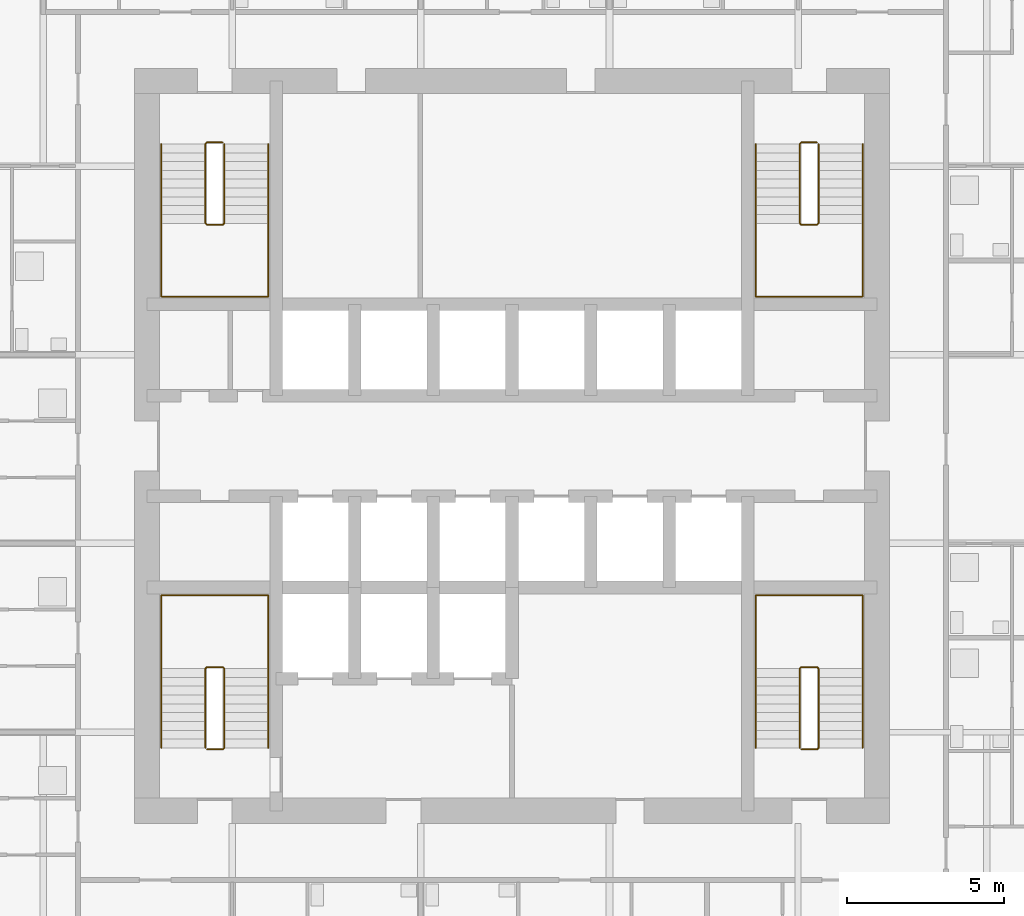
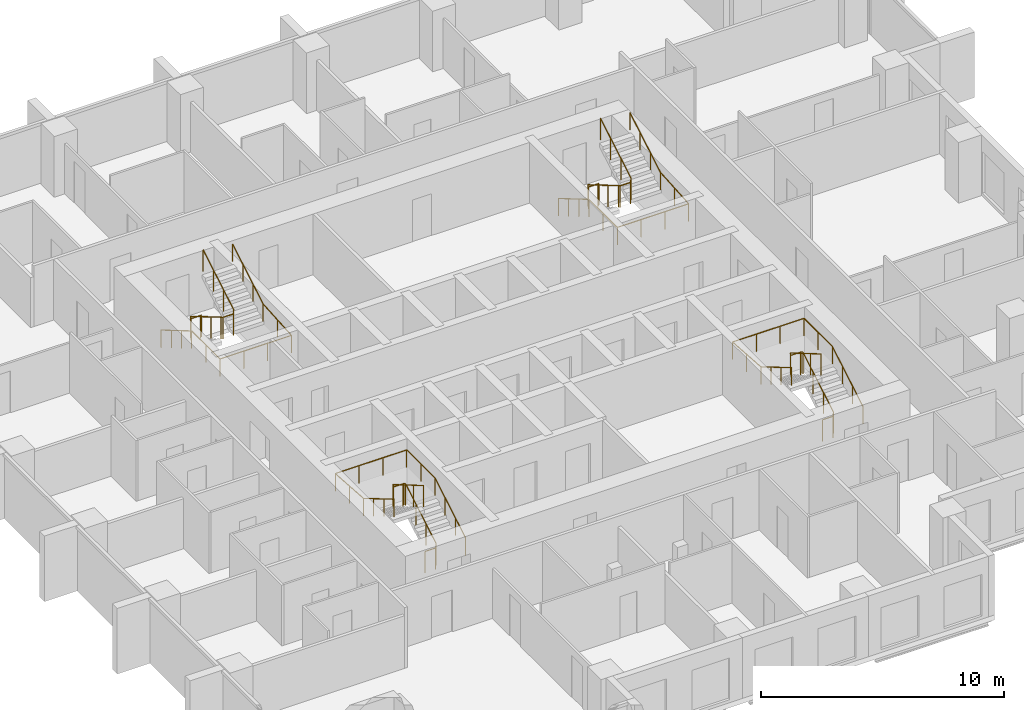
# One storey, part 9 of 10: 8 railings.
"""IFC4 building model written with IfcOpenShell, lengths in metres."""

from ifc_helpers import new_model, si_unit, direction, frame, origin, origin_2d, place, context, subcontext, project, spatial, circle, extrude, material, type_object, element, save


model = new_model("IFC4")

# Units and contexts
model_context = context("Model", 3, precision=1e-05, world=origin(), true_north=direction((0.0, 1.0)))
body_context = subcontext(model_context, "Body", "Model", "MODEL_VIEW")
ifc_project = project(units=[si_unit("LENGTHUNIT", "METRE"), si_unit("AREAUNIT", "SQUARE_METRE"), si_unit("VOLUMEUNIT", "CUBIC_METRE"), si_unit("PLANEANGLEUNIT", "RADIAN"), si_unit("MASSUNIT", "GRAM", prefix="KILO")], contexts=[model_context])

# Site, building, storey
site_placement = place(None, origin())
site = spatial("IfcSite", under=ifc_project, at=site_placement, CompositionType="ELEMENT")
building_placement = place(site_placement, origin())
building = spatial("IfcBuilding", under=site, at=building_placement, Name="Amberfall Residences", CompositionType="ELEMENT")
storey_placement = place(building_placement, frame((0.0, 0.0, 101.800048828125)))
storey = spatial("IfcBuildingStorey", under=building, at=storey_placement, Name="L27", CompositionType="ELEMENT", Elevation=101.800048828125)

# Railings
ifc_material = material(Name="Stainless steel 316", Category="steel")
railing_type_1 = type_object("IfcRailingType", Name="Stair guard 1100", PredefinedType="GUARDRAIL", material=ifc_material)
railing_1_placement = place(storey_placement, frame((64.800048828125, 35.85009765625, 0.0)))
element("IfcRailing", 1, at=railing_1_placement, inside=storey, type_object=railing_type_1, Name="L27 stair 1 guard", PredefinedType="GUARDRAIL", context=body_context, shape_type="SweptSolid", body=[
    extrude(circle(Radius=0.02392578125, at=origin_2d()), frame((0.0, 0.0, 1.076171875), z_axis=(1.0, 0.0, 0.0), x_axis=(0.0, 1.0, 0.0)), (0.0, 0.0, 1.0), 0.5),
    extrude(circle(Radius=0.02392578125, at=origin_2d()), frame((0.5, 0.0, 1.076171875), z_axis=(0.278810427259, 0.277450376394, 0.919394384522), x_axis=(-0.705375805398, 0.708833529934, 0.0)), (0.0, 0.0, 1.0), 0.179443359375),
    extrude(circle(Radius=0.02392578125, at=origin_2d()), frame((0.550048828125, 0.0498046875, 1.2412109375), z_axis=(0.0, 0.861560626758, 0.507654692109), x_axis=(-1.0, 0.0, 0.0)), (0.0, 0.0, 1.0), 2.925048828125),
    extrude(circle(Radius=0.02392578125, at=origin_2d()), frame((0.550048828125, 2.56982421875, 2.72607421875), z_axis=(-0.707106781187, 0.707106781187, 0.0), x_axis=(-0.707106781187, -0.707106781187, 0.0)), (0.0, 0.0, 1.0), 0.07080078125),
    extrude(circle(Radius=0.02392578125, at=origin_2d()), frame((0.5, 2.619873046875, 2.72607421875), z_axis=(-1.0, 0.0, 0.0), x_axis=(0.0, -1.0, 0.0)), (0.0, 0.0, 1.0), 0.5),
    extrude(circle(Radius=0.02392578125, at=origin_2d()), frame((0.0, 2.619873046875, 2.72607421875), z_axis=(-0.278705021027, -0.278705021027, 0.919046801044), x_axis=(0.707106781187, -0.707106781187, 0.0)), (0.0, 0.0, 1.0), 0.1796875),
    extrude(circle(Radius=0.02392578125, at=origin_2d()), frame((-0.050048828125, 2.56982421875, 2.89111328125), z_axis=(0.0, -0.86152411907, 0.507716645641), x_axis=(1.0, 0.0, 0.0)), (0.0, 0.0, 1.0), 2.925048828125),
    extrude(circle(Radius=0.02099609375, at=origin_2d()), origin(), (0.0, 0.0, 1.0), 1.052001953125),
    extrude(circle(Radius=0.02099609375, at=origin_2d()), frame((0.5, 0.0, 0.0)), (0.0, 0.0, 1.0), 1.052001953125),
    extrude(circle(Radius=0.02099609375, at=origin_2d()), frame((0.550048828125, 0.0498046875, 0.1650390625)), (0.0, 0.0, 1.0), 1.052001953125),
    extrude(circle(Radius=0.02099609375, at=origin_2d()), frame((0.550048828125, 0.889892578125, 0.659912109375)), (0.0, 0.0, 1.0), 1.052001953125),
    extrude(circle(Radius=0.02099609375, at=origin_2d()), frame((0.550048828125, 1.729736328125, 1.155029296875)), (0.0, 0.0, 1.0), 1.052001953125),
    extrude(circle(Radius=0.02099609375, at=origin_2d()), frame((0.550048828125, 2.56982421875, 1.64990234375)), (0.0, 0.0, 1.0), 1.052001953125),
    extrude(circle(Radius=0.02099609375, at=origin_2d()), frame((0.5, 2.619873046875, 1.64990234375)), (0.0, 0.0, 1.0), 1.052001953125),
    extrude(circle(Radius=0.02099609375, at=origin_2d()), frame((0.0, 2.619873046875, 1.64990234375)), (0.0, 0.0, 1.0), 1.052001953125),
    extrude(circle(Radius=0.02099609375, at=origin_2d()), frame((-0.050048828125, 2.56982421875, 1.81494140625)), (0.0, 0.0, 1.0), 1.052001953125),
    extrude(circle(Radius=0.02099609375, at=origin_2d()), frame((-0.050048828125, 1.729736328125, 2.31005859375)), (0.0, 0.0, 1.0), 1.052001953125),
    extrude(circle(Radius=0.02099609375, at=origin_2d()), frame((-0.050048828125, 0.889892578125, 2.804931640625)), (0.0, 0.0, 1.0), 1.052001953125),
    extrude(circle(Radius=0.02099609375, at=origin_2d()), frame((-0.050048828125, 0.0498046875, 3.300048828125)), (0.0, 0.0, 1.0), 1.052001953125),
])
railing_2_placement = place(storey_placement, frame((83.699951171875, 35.85009765625, 0.0)))
element("IfcRailing", 2, at=railing_2_placement, inside=storey, type_object=railing_type_1, Name="L27 stair 2 guard", PredefinedType="GUARDRAIL", context=body_context, shape_type="SweptSolid", body=[
    extrude(circle(Radius=0.02392578125, at=origin_2d()), frame((0.0, 0.0, 1.076171875), z_axis=(1.0, 0.0, 0.0), x_axis=(0.0, 1.0, 0.0)), (0.0, 0.0, 1.0), 0.5),
    extrude(circle(Radius=0.02392578125, at=origin_2d()), frame((0.5, 0.0, 1.076171875), z_axis=(0.278810427259, 0.277450376394, 0.919394384522), x_axis=(-0.705375805398, 0.708833529934, 0.0)), (0.0, 0.0, 1.0), 0.179443359375),
    extrude(circle(Radius=0.02392578125, at=origin_2d()), frame((0.550048828125, 0.0498046875, 1.2412109375), z_axis=(0.0, 0.861560626758, 0.507654692109), x_axis=(-1.0, 0.0, 0.0)), (0.0, 0.0, 1.0), 2.925048828125),
    extrude(circle(Radius=0.02392578125, at=origin_2d()), frame((0.550048828125, 2.56982421875, 2.72607421875), z_axis=(-0.707106781187, 0.707106781187, 0.0), x_axis=(-0.707106781187, -0.707106781187, 0.0)), (0.0, 0.0, 1.0), 0.07080078125),
    extrude(circle(Radius=0.02392578125, at=origin_2d()), frame((0.5, 2.619873046875, 2.72607421875), z_axis=(-1.0, 0.0, 0.0), x_axis=(0.0, -1.0, 0.0)), (0.0, 0.0, 1.0), 0.5),
    extrude(circle(Radius=0.02392578125, at=origin_2d()), frame((0.0, 2.619873046875, 2.72607421875), z_axis=(-0.278705021027, -0.278705021027, 0.919046801044), x_axis=(0.707106781187, -0.707106781187, 0.0)), (0.0, 0.0, 1.0), 0.1796875),
    extrude(circle(Radius=0.02392578125, at=origin_2d()), frame((-0.050048828125, 2.56982421875, 2.89111328125), z_axis=(0.0, -0.86152411907, 0.507716645641), x_axis=(1.0, 0.0, 0.0)), (0.0, 0.0, 1.0), 2.925048828125),
    extrude(circle(Radius=0.02099609375, at=origin_2d()), origin(), (0.0, 0.0, 1.0), 1.052001953125),
    extrude(circle(Radius=0.02099609375, at=origin_2d()), frame((0.5, 0.0, 0.0)), (0.0, 0.0, 1.0), 1.052001953125),
    extrude(circle(Radius=0.02099609375, at=origin_2d()), frame((0.550048828125, 0.0498046875, 0.1650390625)), (0.0, 0.0, 1.0), 1.052001953125),
    extrude(circle(Radius=0.02099609375, at=origin_2d()), frame((0.550048828125, 0.889892578125, 0.659912109375)), (0.0, 0.0, 1.0), 1.052001953125),
    extrude(circle(Radius=0.02099609375, at=origin_2d()), frame((0.550048828125, 1.729736328125, 1.155029296875)), (0.0, 0.0, 1.0), 1.052001953125),
    extrude(circle(Radius=0.02099609375, at=origin_2d()), frame((0.550048828125, 2.56982421875, 1.64990234375)), (0.0, 0.0, 1.0), 1.052001953125),
    extrude(circle(Radius=0.02099609375, at=origin_2d()), frame((0.5, 2.619873046875, 1.64990234375)), (0.0, 0.0, 1.0), 1.052001953125),
    extrude(circle(Radius=0.02099609375, at=origin_2d()), frame((0.0, 2.619873046875, 1.64990234375)), (0.0, 0.0, 1.0), 1.052001953125),
    extrude(circle(Radius=0.02099609375, at=origin_2d()), frame((-0.050048828125, 2.56982421875, 1.81494140625)), (0.0, 0.0, 1.0), 1.052001953125),
    extrude(circle(Radius=0.02099609375, at=origin_2d()), frame((-0.050048828125, 1.729736328125, 2.31005859375)), (0.0, 0.0, 1.0), 1.052001953125),
    extrude(circle(Radius=0.02099609375, at=origin_2d()), frame((-0.050048828125, 0.889892578125, 2.804931640625)), (0.0, 0.0, 1.0), 1.052001953125),
    extrude(circle(Radius=0.02099609375, at=origin_2d()), frame((-0.050048828125, 0.0498046875, 3.300048828125)), (0.0, 0.0, 1.0), 1.052001953125),
])
railing_3_placement = place(storey_placement, frame((84.199951171875, 55.14990234375, 0.0)))
element("IfcRailing", 3, at=railing_3_placement, inside=storey, type_object=railing_type_1, Name="L27 stair 3 guard", PredefinedType="GUARDRAIL", context=body_context, shape_type="SweptSolid", body=[
    extrude(circle(Radius=0.02392578125, at=origin_2d()), frame((0.0, 0.0, 1.076171875), z_axis=(-1.0, 0.0, 0.0), x_axis=(0.0, -1.0, 0.0)), (0.0, 0.0, 1.0), 0.5),
    extrude(circle(Radius=0.02392578125, at=origin_2d()), frame((-0.5, 0.0, 1.076171875), z_axis=(-0.278810427259, -0.277450376394, 0.919394384522), x_axis=(0.705375805398, -0.708833529934, 0.0)), (0.0, 0.0, 1.0), 0.179443359375),
    extrude(circle(Radius=0.02392578125, at=origin_2d()), frame((-0.550048828125, -0.0498046875, 1.2412109375), z_axis=(0.0, -0.861560626758, 0.507654692109), x_axis=(1.0, 0.0, 0.0)), (0.0, 0.0, 1.0), 2.925048828125),
    extrude(circle(Radius=0.02392578125, at=origin_2d()), frame((-0.550048828125, -2.56982421875, 2.72607421875), z_axis=(0.707106781187, -0.707106781187, 0.0), x_axis=(0.707106781187, 0.707106781187, 0.0)), (0.0, 0.0, 1.0), 0.07080078125),
    extrude(circle(Radius=0.02392578125, at=origin_2d()), frame((-0.5, -2.619873046875, 2.72607421875), z_axis=(1.0, 0.0, 0.0), x_axis=(0.0, 1.0, 0.0)), (0.0, 0.0, 1.0), 0.5),
    extrude(circle(Radius=0.02392578125, at=origin_2d()), frame((0.0, -2.619873046875, 2.72607421875), z_axis=(0.278705021027, 0.278705021027, 0.919046801044), x_axis=(-0.707106781187, 0.707106781187, 0.0)), (0.0, 0.0, 1.0), 0.1796875),
    extrude(circle(Radius=0.02392578125, at=origin_2d()), frame((0.050048828125, -2.56982421875, 2.89111328125), z_axis=(0.0, 0.86152411907, 0.507716645641), x_axis=(-1.0, 0.0, 0.0)), (0.0, 0.0, 1.0), 2.925048828125),
    extrude(circle(Radius=0.02099609375, at=origin_2d()), origin(), (0.0, 0.0, 1.0), 1.052001953125),
    extrude(circle(Radius=0.02099609375, at=origin_2d()), frame((-0.5, 0.0, 0.0)), (0.0, 0.0, 1.0), 1.052001953125),
    extrude(circle(Radius=0.02099609375, at=origin_2d()), frame((-0.550048828125, -0.0498046875, 0.1650390625)), (0.0, 0.0, 1.0), 1.052001953125),
    extrude(circle(Radius=0.02099609375, at=origin_2d()), frame((-0.550048828125, -0.889892578125, 0.659912109375)), (0.0, 0.0, 1.0), 1.052001953125),
    extrude(circle(Radius=0.02099609375, at=origin_2d()), frame((-0.550048828125, -1.729736328125, 1.155029296875)), (0.0, 0.0, 1.0), 1.052001953125),
    extrude(circle(Radius=0.02099609375, at=origin_2d()), frame((-0.550048828125, -2.56982421875, 1.64990234375)), (0.0, 0.0, 1.0), 1.052001953125),
    extrude(circle(Radius=0.02099609375, at=origin_2d()), frame((-0.5, -2.619873046875, 1.64990234375)), (0.0, 0.0, 1.0), 1.052001953125),
    extrude(circle(Radius=0.02099609375, at=origin_2d()), frame((0.0, -2.619873046875, 1.64990234375)), (0.0, 0.0, 1.0), 1.052001953125),
    extrude(circle(Radius=0.02099609375, at=origin_2d()), frame((0.050048828125, -2.56982421875, 1.81494140625)), (0.0, 0.0, 1.0), 1.052001953125),
    extrude(circle(Radius=0.02099609375, at=origin_2d()), frame((0.050048828125, -1.729736328125, 2.31005859375)), (0.0, 0.0, 1.0), 1.052001953125),
    extrude(circle(Radius=0.02099609375, at=origin_2d()), frame((0.050048828125, -0.889892578125, 2.804931640625)), (0.0, 0.0, 1.0), 1.052001953125),
    extrude(circle(Radius=0.02099609375, at=origin_2d()), frame((0.050048828125, -0.0498046875, 3.300048828125)), (0.0, 0.0, 1.0), 1.052001953125),
])
railing_4_placement = place(storey_placement, frame((65.300048828125, 55.14990234375, 0.0)))
element("IfcRailing", 4, at=railing_4_placement, inside=storey, type_object=railing_type_1, Name="L27 stair 4 guard", PredefinedType="GUARDRAIL", context=body_context, shape_type="SweptSolid", body=[
    extrude(circle(Radius=0.02392578125, at=origin_2d()), frame((0.0, 0.0, 1.076171875), z_axis=(-1.0, 0.0, 0.0), x_axis=(0.0, -1.0, 0.0)), (0.0, 0.0, 1.0), 0.5),
    extrude(circle(Radius=0.02392578125, at=origin_2d()), frame((-0.5, 0.0, 1.076171875), z_axis=(-0.278810427259, -0.277450376394, 0.919394384522), x_axis=(0.705375805398, -0.708833529934, 0.0)), (0.0, 0.0, 1.0), 0.179443359375),
    extrude(circle(Radius=0.02392578125, at=origin_2d()), frame((-0.550048828125, -0.0498046875, 1.2412109375), z_axis=(0.0, -0.861560626758, 0.507654692109), x_axis=(1.0, 0.0, 0.0)), (0.0, 0.0, 1.0), 2.925048828125),
    extrude(circle(Radius=0.02392578125, at=origin_2d()), frame((-0.550048828125, -2.56982421875, 2.72607421875), z_axis=(0.707106781187, -0.707106781187, 0.0), x_axis=(0.707106781187, 0.707106781187, 0.0)), (0.0, 0.0, 1.0), 0.07080078125),
    extrude(circle(Radius=0.02392578125, at=origin_2d()), frame((-0.5, -2.619873046875, 2.72607421875), z_axis=(1.0, 0.0, 0.0), x_axis=(0.0, 1.0, 0.0)), (0.0, 0.0, 1.0), 0.5),
    extrude(circle(Radius=0.02392578125, at=origin_2d()), frame((0.0, -2.619873046875, 2.72607421875), z_axis=(0.278705021027, 0.278705021027, 0.919046801044), x_axis=(-0.707106781187, 0.707106781187, 0.0)), (0.0, 0.0, 1.0), 0.1796875),
    extrude(circle(Radius=0.02392578125, at=origin_2d()), frame((0.050048828125, -2.56982421875, 2.89111328125), z_axis=(0.0, 0.86152411907, 0.507716645641), x_axis=(-1.0, 0.0, 0.0)), (0.0, 0.0, 1.0), 2.925048828125),
    extrude(circle(Radius=0.02099609375, at=origin_2d()), origin(), (0.0, 0.0, 1.0), 1.052001953125),
    extrude(circle(Radius=0.02099609375, at=origin_2d()), frame((-0.5, 0.0, 0.0)), (0.0, 0.0, 1.0), 1.052001953125),
    extrude(circle(Radius=0.02099609375, at=origin_2d()), frame((-0.550048828125, -0.0498046875, 0.1650390625)), (0.0, 0.0, 1.0), 1.052001953125),
    extrude(circle(Radius=0.02099609375, at=origin_2d()), frame((-0.550048828125, -0.889892578125, 0.659912109375)), (0.0, 0.0, 1.0), 1.052001953125),
    extrude(circle(Radius=0.02099609375, at=origin_2d()), frame((-0.550048828125, -1.729736328125, 1.155029296875)), (0.0, 0.0, 1.0), 1.052001953125),
    extrude(circle(Radius=0.02099609375, at=origin_2d()), frame((-0.550048828125, -2.56982421875, 1.64990234375)), (0.0, 0.0, 1.0), 1.052001953125),
    extrude(circle(Radius=0.02099609375, at=origin_2d()), frame((-0.5, -2.619873046875, 1.64990234375)), (0.0, 0.0, 1.0), 1.052001953125),
    extrude(circle(Radius=0.02099609375, at=origin_2d()), frame((0.0, -2.619873046875, 1.64990234375)), (0.0, 0.0, 1.0), 1.052001953125),
    extrude(circle(Radius=0.02099609375, at=origin_2d()), frame((0.050048828125, -2.56982421875, 1.81494140625)), (0.0, 0.0, 1.0), 1.052001953125),
    extrude(circle(Radius=0.02099609375, at=origin_2d()), frame((0.050048828125, -1.729736328125, 2.31005859375)), (0.0, 0.0, 1.0), 1.052001953125),
    extrude(circle(Radius=0.02099609375, at=origin_2d()), frame((0.050048828125, -0.889892578125, 2.804931640625)), (0.0, 0.0, 1.0), 1.052001953125),
    extrude(circle(Radius=0.02099609375, at=origin_2d()), frame((0.050048828125, -0.0498046875, 3.300048828125)), (0.0, 0.0, 1.0), 1.052001953125),
])
railing_type_2 = type_object("IfcRailingType", Name="Stair handrail 900", PredefinedType="HANDRAIL", material=ifc_material)
railing_5_placement = place(storey_placement, frame((66.75, 35.89990234375, 0.1650390625)))
element("IfcRailing", 5, at=railing_5_placement, inside=storey, type_object=railing_type_2, Name="L27 stair 1 handrail", PredefinedType="HANDRAIL", context=body_context, shape_type="SweptSolid", body=[
    extrude(circle(Radius=0.02392578125, at=origin_2d()), frame((0.0, 0.0, 0.8759765625), z_axis=(0.0, 0.861560626758, 0.507654692109), x_axis=(-1.0, 0.0, 0.0)), (0.0, 0.0, 1.0), 2.925048828125),
    extrude(circle(Radius=0.02392578125, at=origin_2d()), frame((0.0, 2.52001953125, 2.36083984375), z_axis=(0.0, 1.0, 0.0), x_axis=(-1.0, 0.0, 0.0)), (0.0, 0.0, 1.0), 2.330078125),
    extrude(circle(Radius=0.02392578125, at=origin_2d()), frame((0.0, 4.85009765625, 2.36083984375), z_axis=(-1.0, 0.0, 0.0), x_axis=(0.0, -1.0, 0.0)), (0.0, 0.0, 1.0), 3.39990234375),
    extrude(circle(Radius=0.02392578125, at=origin_2d()), frame((-3.39990234375, 4.85009765625, 2.36083984375), z_axis=(0.0, -0.997500965899, 0.07065283455), x_axis=(1.0, 0.0, 0.0)), (0.0, 0.0, 1.0), 2.3359375),
    extrude(circle(Radius=0.02392578125, at=origin_2d()), frame((-3.39990234375, 2.52001953125, 2.52587890625), z_axis=(0.0, -0.86152411907, 0.507716645641), x_axis=(1.0, 0.0, 0.0)), (0.0, 0.0, 1.0), 2.925048828125),
    extrude(circle(Radius=0.02099609375, at=origin_2d()), origin(), (0.0, 0.0, 1.0), 0.851806640625),
    extrude(circle(Radius=0.02099609375, at=origin_2d()), frame((0.0, 0.840087890625, 0.494873046875)), (0.0, 0.0, 1.0), 0.851806640625),
    extrude(circle(Radius=0.02099609375, at=origin_2d()), frame((0.0, 1.679931640625, 0.989990234375)), (0.0, 0.0, 1.0), 0.851806640625),
    extrude(circle(Radius=0.02099609375, at=origin_2d()), frame((0.0, 2.52001953125, 1.48486328125)), (0.0, 0.0, 1.0), 0.851806640625),
    extrude(circle(Radius=0.02099609375, at=origin_2d()), frame((0.0, 3.68505859375, 1.48486328125)), (0.0, 0.0, 1.0), 0.851806640625),
    extrude(circle(Radius=0.02099609375, at=origin_2d()), frame((0.0, 4.85009765625, 1.48486328125)), (0.0, 0.0, 1.0), 0.851806640625),
    extrude(circle(Radius=0.02099609375, at=origin_2d()), frame((-1.13330078125, 4.85009765625, 1.48486328125)), (0.0, 0.0, 1.0), 0.851806640625),
    extrude(circle(Radius=0.02099609375, at=origin_2d()), frame((-2.2666015625, 4.85009765625, 1.48486328125)), (0.0, 0.0, 1.0), 0.851806640625),
    extrude(circle(Radius=0.02099609375, at=origin_2d()), frame((-3.39990234375, 4.85009765625, 1.48486328125)), (0.0, 0.0, 1.0), 0.851806640625),
    extrude(circle(Radius=0.02099609375, at=origin_2d()), frame((-3.39990234375, 3.68505859375, 1.5673828125)), (0.0, 0.0, 1.0), 0.851806640625),
    extrude(circle(Radius=0.02099609375, at=origin_2d()), frame((-3.39990234375, 2.52001953125, 1.64990234375)), (0.0, 0.0, 1.0), 0.851806640625),
    extrude(circle(Radius=0.02099609375, at=origin_2d()), frame((-3.39990234375, 1.679931640625, 2.14501953125)), (0.0, 0.0, 1.0), 0.851806640625),
    extrude(circle(Radius=0.02099609375, at=origin_2d()), frame((-3.39990234375, 0.840087890625, 2.639892578125)), (0.0, 0.0, 1.0), 0.851806640625),
    extrude(circle(Radius=0.02099609375, at=origin_2d()), frame((-3.39990234375, 0.0, 3.135009765625)), (0.0, 0.0, 1.0), 0.851806640625),
])
railing_6_placement = place(storey_placement, frame((85.64990234375, 35.89990234375, 0.1650390625)))
element("IfcRailing", 6, at=railing_6_placement, inside=storey, type_object=railing_type_2, Name="L27 stair 2 handrail", PredefinedType="HANDRAIL", context=body_context, shape_type="SweptSolid", body=[
    extrude(circle(Radius=0.02392578125, at=origin_2d()), frame((0.0, 0.0, 0.8759765625), z_axis=(0.0, 0.861560626758, 0.507654692109), x_axis=(-1.0, 0.0, 0.0)), (0.0, 0.0, 1.0), 2.925048828125),
    extrude(circle(Radius=0.02392578125, at=origin_2d()), frame((0.0, 2.52001953125, 2.36083984375), z_axis=(0.0, 1.0, 0.0), x_axis=(-1.0, 0.0, 0.0)), (0.0, 0.0, 1.0), 2.330078125),
    extrude(circle(Radius=0.02392578125, at=origin_2d()), frame((0.0, 4.85009765625, 2.36083984375), z_axis=(-1.0, 0.0, 0.0), x_axis=(0.0, -1.0, 0.0)), (0.0, 0.0, 1.0), 3.39990234375),
    extrude(circle(Radius=0.02392578125, at=origin_2d()), frame((-3.39990234375, 4.85009765625, 2.36083984375), z_axis=(0.0, -0.997500965899, 0.07065283455), x_axis=(1.0, 0.0, 0.0)), (0.0, 0.0, 1.0), 2.3359375),
    extrude(circle(Radius=0.02392578125, at=origin_2d()), frame((-3.39990234375, 2.52001953125, 2.52587890625), z_axis=(0.0, -0.86152411907, 0.507716645641), x_axis=(1.0, 0.0, 0.0)), (0.0, 0.0, 1.0), 2.925048828125),
    extrude(circle(Radius=0.02099609375, at=origin_2d()), origin(), (0.0, 0.0, 1.0), 0.851806640625),
    extrude(circle(Radius=0.02099609375, at=origin_2d()), frame((0.0, 0.840087890625, 0.494873046875)), (0.0, 0.0, 1.0), 0.851806640625),
    extrude(circle(Radius=0.02099609375, at=origin_2d()), frame((0.0, 1.679931640625, 0.989990234375)), (0.0, 0.0, 1.0), 0.851806640625),
    extrude(circle(Radius=0.02099609375, at=origin_2d()), frame((0.0, 2.52001953125, 1.48486328125)), (0.0, 0.0, 1.0), 0.851806640625),
    extrude(circle(Radius=0.02099609375, at=origin_2d()), frame((0.0, 3.68505859375, 1.48486328125)), (0.0, 0.0, 1.0), 0.851806640625),
    extrude(circle(Radius=0.02099609375, at=origin_2d()), frame((0.0, 4.85009765625, 1.48486328125)), (0.0, 0.0, 1.0), 0.851806640625),
    extrude(circle(Radius=0.02099609375, at=origin_2d()), frame((-1.13330078125, 4.85009765625, 1.48486328125)), (0.0, 0.0, 1.0), 0.851806640625),
    extrude(circle(Radius=0.02099609375, at=origin_2d()), frame((-2.2666015625, 4.85009765625, 1.48486328125)), (0.0, 0.0, 1.0), 0.851806640625),
    extrude(circle(Radius=0.02099609375, at=origin_2d()), frame((-3.39990234375, 4.85009765625, 1.48486328125)), (0.0, 0.0, 1.0), 0.851806640625),
    extrude(circle(Radius=0.02099609375, at=origin_2d()), frame((-3.39990234375, 3.68505859375, 1.5673828125)), (0.0, 0.0, 1.0), 0.851806640625),
    extrude(circle(Radius=0.02099609375, at=origin_2d()), frame((-3.39990234375, 2.52001953125, 1.64990234375)), (0.0, 0.0, 1.0), 0.851806640625),
    extrude(circle(Radius=0.02099609375, at=origin_2d()), frame((-3.39990234375, 1.679931640625, 2.14501953125)), (0.0, 0.0, 1.0), 0.851806640625),
    extrude(circle(Radius=0.02099609375, at=origin_2d()), frame((-3.39990234375, 0.840087890625, 2.639892578125)), (0.0, 0.0, 1.0), 0.851806640625),
    extrude(circle(Radius=0.02099609375, at=origin_2d()), frame((-3.39990234375, 0.0, 3.135009765625)), (0.0, 0.0, 1.0), 0.851806640625),
])
railing_7_placement = place(storey_placement, frame((82.25, 55.10009765625, 0.1650390625)))
element("IfcRailing", 7, at=railing_7_placement, inside=storey, type_object=railing_type_2, Name="L27 stair 3 handrail", PredefinedType="HANDRAIL", context=body_context, shape_type="SweptSolid", body=[
    extrude(circle(Radius=0.02392578125, at=origin_2d()), frame((0.0, 0.0, 0.8759765625), z_axis=(0.0, -0.861560626758, 0.507654692109), x_axis=(1.0, 0.0, 0.0)), (0.0, 0.0, 1.0), 2.925048828125),
    extrude(circle(Radius=0.02392578125, at=origin_2d()), frame((0.0, -2.52001953125, 2.36083984375), z_axis=(0.0, -1.0, 0.0), x_axis=(1.0, 0.0, 0.0)), (0.0, 0.0, 1.0), 2.330078125),
    extrude(circle(Radius=0.02392578125, at=origin_2d()), frame((0.0, -4.85009765625, 2.36083984375), z_axis=(1.0, 0.0, 0.0), x_axis=(0.0, 1.0, 0.0)), (0.0, 0.0, 1.0), 3.39990234375),
    extrude(circle(Radius=0.02392578125, at=origin_2d()), frame((3.39990234375, -4.85009765625, 2.36083984375), z_axis=(0.0, 0.997500965899, 0.07065283455), x_axis=(-1.0, 0.0, 0.0)), (0.0, 0.0, 1.0), 2.3359375),
    extrude(circle(Radius=0.02392578125, at=origin_2d()), frame((3.39990234375, -2.52001953125, 2.52587890625), z_axis=(0.0, 0.86152411907, 0.507716645641), x_axis=(-1.0, 0.0, 0.0)), (0.0, 0.0, 1.0), 2.925048828125),
    extrude(circle(Radius=0.02099609375, at=origin_2d()), origin(), (0.0, 0.0, 1.0), 0.851806640625),
    extrude(circle(Radius=0.02099609375, at=origin_2d()), frame((0.0, -0.840087890625, 0.494873046875)), (0.0, 0.0, 1.0), 0.851806640625),
    extrude(circle(Radius=0.02099609375, at=origin_2d()), frame((0.0, -1.679931640625, 0.989990234375)), (0.0, 0.0, 1.0), 0.851806640625),
    extrude(circle(Radius=0.02099609375, at=origin_2d()), frame((0.0, -2.52001953125, 1.48486328125)), (0.0, 0.0, 1.0), 0.851806640625),
    extrude(circle(Radius=0.02099609375, at=origin_2d()), frame((0.0, -3.68505859375, 1.48486328125)), (0.0, 0.0, 1.0), 0.851806640625),
    extrude(circle(Radius=0.02099609375, at=origin_2d()), frame((0.0, -4.85009765625, 1.48486328125)), (0.0, 0.0, 1.0), 0.851806640625),
    extrude(circle(Radius=0.02099609375, at=origin_2d()), frame((1.13330078125, -4.85009765625, 1.48486328125)), (0.0, 0.0, 1.0), 0.851806640625),
    extrude(circle(Radius=0.02099609375, at=origin_2d()), frame((2.2666015625, -4.85009765625, 1.48486328125)), (0.0, 0.0, 1.0), 0.851806640625),
    extrude(circle(Radius=0.02099609375, at=origin_2d()), frame((3.39990234375, -4.85009765625, 1.48486328125)), (0.0, 0.0, 1.0), 0.851806640625),
    extrude(circle(Radius=0.02099609375, at=origin_2d()), frame((3.39990234375, -3.68505859375, 1.5673828125)), (0.0, 0.0, 1.0), 0.851806640625),
    extrude(circle(Radius=0.02099609375, at=origin_2d()), frame((3.39990234375, -2.52001953125, 1.64990234375)), (0.0, 0.0, 1.0), 0.851806640625),
    extrude(circle(Radius=0.02099609375, at=origin_2d()), frame((3.39990234375, -1.679931640625, 2.14501953125)), (0.0, 0.0, 1.0), 0.851806640625),
    extrude(circle(Radius=0.02099609375, at=origin_2d()), frame((3.39990234375, -0.840087890625, 2.639892578125)), (0.0, 0.0, 1.0), 0.851806640625),
    extrude(circle(Radius=0.02099609375, at=origin_2d()), frame((3.39990234375, 0.0, 3.135009765625)), (0.0, 0.0, 1.0), 0.851806640625),
])
railing_8_placement = place(storey_placement, frame((63.35009765625, 55.10009765625, 0.1650390625)))
element("IfcRailing", 8, at=railing_8_placement, inside=storey, type_object=railing_type_2, Name="L27 stair 4 handrail", PredefinedType="HANDRAIL", context=body_context, shape_type="SweptSolid", body=[
    extrude(circle(Radius=0.02392578125, at=origin_2d()), frame((0.0, 0.0, 0.8759765625), z_axis=(0.0, -0.861560626758, 0.507654692109), x_axis=(1.0, 0.0, 0.0)), (0.0, 0.0, 1.0), 2.925048828125),
    extrude(circle(Radius=0.02392578125, at=origin_2d()), frame((0.0, -2.52001953125, 2.36083984375), z_axis=(0.0, -1.0, 0.0), x_axis=(1.0, 0.0, 0.0)), (0.0, 0.0, 1.0), 2.330078125),
    extrude(circle(Radius=0.02392578125, at=origin_2d()), frame((0.0, -4.85009765625, 2.36083984375), z_axis=(1.0, 0.0, 0.0), x_axis=(0.0, 1.0, 0.0)), (0.0, 0.0, 1.0), 3.39990234375),
    extrude(circle(Radius=0.02392578125, at=origin_2d()), frame((3.39990234375, -4.85009765625, 2.36083984375), z_axis=(0.0, 0.997500965899, 0.07065283455), x_axis=(-1.0, 0.0, 0.0)), (0.0, 0.0, 1.0), 2.3359375),
    extrude(circle(Radius=0.02392578125, at=origin_2d()), frame((3.39990234375, -2.52001953125, 2.52587890625), z_axis=(0.0, 0.86152411907, 0.507716645641), x_axis=(-1.0, 0.0, 0.0)), (0.0, 0.0, 1.0), 2.925048828125),
    extrude(circle(Radius=0.02099609375, at=origin_2d()), origin(), (0.0, 0.0, 1.0), 0.851806640625),
    extrude(circle(Radius=0.02099609375, at=origin_2d()), frame((0.0, -0.840087890625, 0.494873046875)), (0.0, 0.0, 1.0), 0.851806640625),
    extrude(circle(Radius=0.02099609375, at=origin_2d()), frame((0.0, -1.679931640625, 0.989990234375)), (0.0, 0.0, 1.0), 0.851806640625),
    extrude(circle(Radius=0.02099609375, at=origin_2d()), frame((0.0, -2.52001953125, 1.48486328125)), (0.0, 0.0, 1.0), 0.851806640625),
    extrude(circle(Radius=0.02099609375, at=origin_2d()), frame((0.0, -3.68505859375, 1.48486328125)), (0.0, 0.0, 1.0), 0.851806640625),
    extrude(circle(Radius=0.02099609375, at=origin_2d()), frame((0.0, -4.85009765625, 1.48486328125)), (0.0, 0.0, 1.0), 0.851806640625),
    extrude(circle(Radius=0.02099609375, at=origin_2d()), frame((1.13330078125, -4.85009765625, 1.48486328125)), (0.0, 0.0, 1.0), 0.851806640625),
    extrude(circle(Radius=0.02099609375, at=origin_2d()), frame((2.2666015625, -4.85009765625, 1.48486328125)), (0.0, 0.0, 1.0), 0.851806640625),
    extrude(circle(Radius=0.02099609375, at=origin_2d()), frame((3.39990234375, -4.85009765625, 1.48486328125)), (0.0, 0.0, 1.0), 0.851806640625),
    extrude(circle(Radius=0.02099609375, at=origin_2d()), frame((3.39990234375, -3.68505859375, 1.5673828125)), (0.0, 0.0, 1.0), 0.851806640625),
    extrude(circle(Radius=0.02099609375, at=origin_2d()), frame((3.39990234375, -2.52001953125, 1.64990234375)), (0.0, 0.0, 1.0), 0.851806640625),
    extrude(circle(Radius=0.02099609375, at=origin_2d()), frame((3.39990234375, -1.679931640625, 2.14501953125)), (0.0, 0.0, 1.0), 0.851806640625),
    extrude(circle(Radius=0.02099609375, at=origin_2d()), frame((3.39990234375, -0.840087890625, 2.639892578125)), (0.0, 0.0, 1.0), 0.851806640625),
    extrude(circle(Radius=0.02099609375, at=origin_2d()), frame((3.39990234375, 0.0, 3.135009765625)), (0.0, 0.0, 1.0), 0.851806640625),
])

save(model, "model.ifc")
